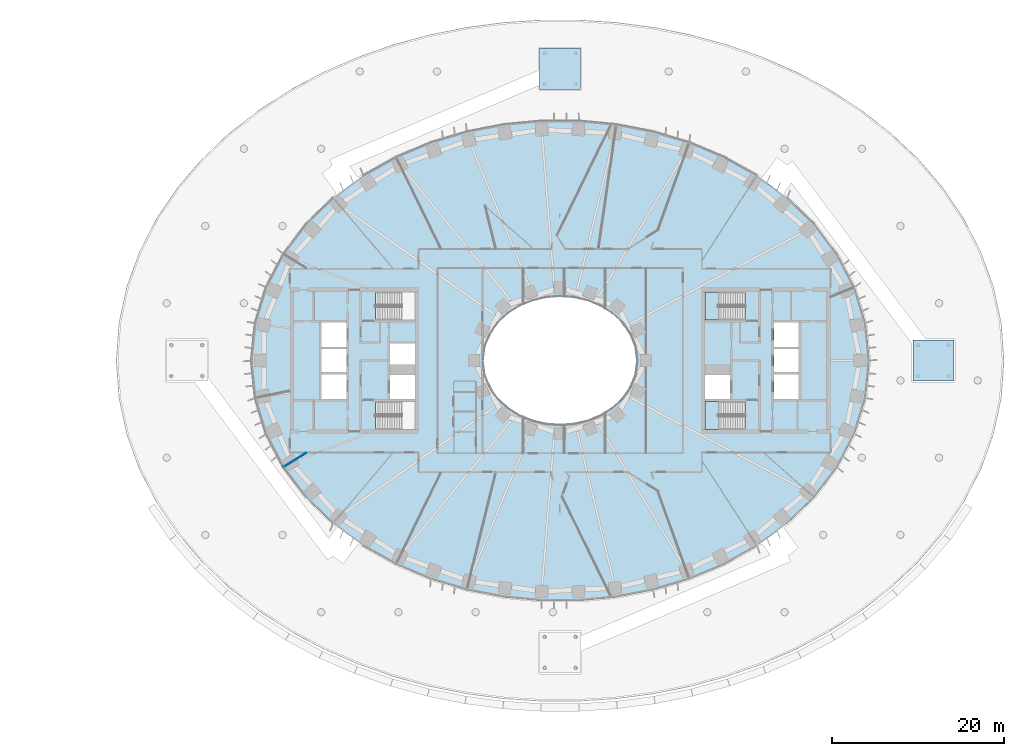
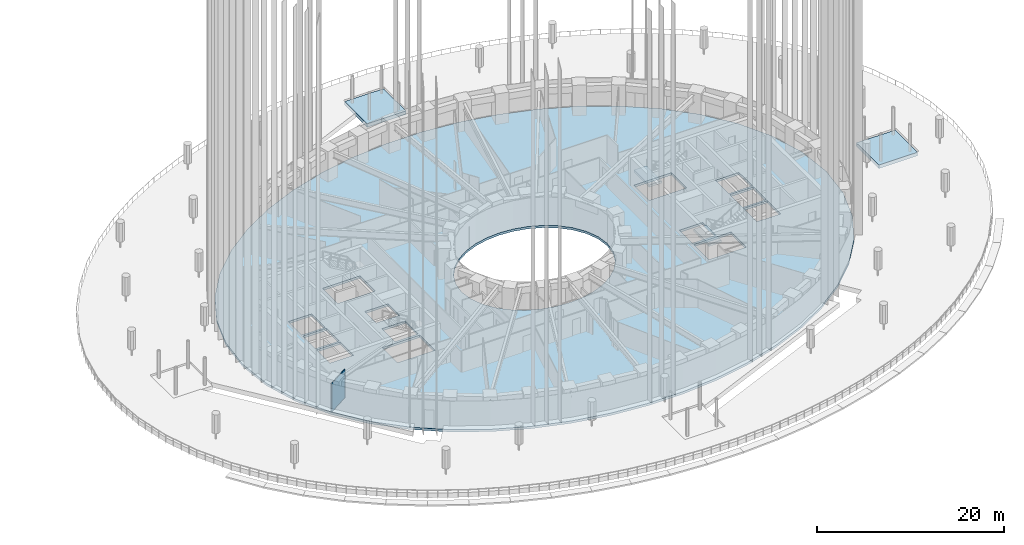
# One storey, part 10 of 30: 5 slabs, 1 wall, 2 elements without a shape of their own.
"""IFC4 building model written with IfcOpenShell, lengths in metres."""

from ifc_helpers import new_model, si_unit, direction, frame, frame_2d, origin, place, context, subcontext, project, spatial, polyline, rectangle, outline, extrude, material, layer, layer_set, type_object, element, aggregate, save


model = new_model("IFC4")

# Units and contexts
model_context = context("Model", 3, precision=1e-05, world=origin(), true_north=direction((0.0, 1.0)))
body_context = subcontext(model_context, "Body", "Model", "MODEL_VIEW")
ifc_project = project(units=[si_unit("LENGTHUNIT", "METRE"), si_unit("AREAUNIT", "SQUARE_METRE"), si_unit("VOLUMEUNIT", "CUBIC_METRE"), si_unit("PLANEANGLEUNIT", "RADIAN"), si_unit("MASSUNIT", "GRAM", prefix="KILO")], contexts=[model_context])

# Site, building, storey
site_placement = place(None, origin())
site = spatial("IfcSite", under=ifc_project, at=site_placement, CompositionType="ELEMENT")
building_placement = place(site_placement, origin())
building = spatial("IfcBuilding", under=site, at=building_placement, Name="Noorbagh Ring Tower", CompositionType="ELEMENT")
storey_placement = place(building_placement, frame((0.0, 0.0, 30.5)))
storey = spatial("IfcBuildingStorey", under=building, at=storey_placement, Name="L05", CompositionType="ELEMENT", Elevation=30.5)

# Stair, slab
ifc_material_1 = material(Name="Concrete C40/50", Category="concrete")
stair_type = type_object("IfcStairType", Name="CORE-STAIR", PredefinedType="HALF_TURN_STAIR", material=ifc_material_1)
stair_1_placement = place(storey_placement, origin())
stair_1 = element("IfcStair", 1, at=stair_1_placement, inside=storey, type_object=stair_type, Name="L05 Exit stair ST3", PredefinedType="HALF_TURN_STAIR")
ifc_material_2 = material(Name="Concrete C40/50", Category="concrete")
ifc_layer_1 = layer(ifc_material_2, 0.300048828125)
ifc_layer_set_1 = layer_set([ifc_layer_1], Name="Concrete C40/50")
slab_type_1 = type_object("IfcSlabType", Name="CORE-STAIR-LANDING", PredefinedType="LANDING", material=ifc_layer_set_1)
slab_1_placement = place(storey_placement, frame((0.0, 0.0, 1.699951171875)))
slab_1 = element("IfcSlab", 2, at=slab_1_placement, type_object=slab_type_1, Name="ST3 landing 1", PredefinedType="LANDING", context=body_context, shape_type="SweptSolid", body=[
    extrude(outline(polyline([(18.449951171875, 8.0), (16.89990234375, 8.0), (16.89990234375, 4.75), (18.449951171875, 4.75), (18.449951171875, 8.0)])), origin(), (0.0, 0.0, 1.0), 0.300048828125),
])
aggregate(stair_1, [slab_1])

stair_2_placement = place(storey_placement, origin())
stair_2 = element("IfcStair", 3, at=stair_2_placement, inside=storey, type_object=stair_type, Name="L05 Exit stair ST4", PredefinedType="HALF_TURN_STAIR")
slab_2_placement = place(storey_placement, frame((0.0, 0.0, 1.699951171875)))
slab_2 = element("IfcSlab", 4, at=slab_2_placement, type_object=slab_type_1, Name="ST4 landing 1", PredefinedType="LANDING", context=body_context, shape_type="SweptSolid", body=[
    extrude(outline(polyline([(18.449951171875, -4.75), (16.89990234375, -4.75), (16.89990234375, -8.0), (18.449951171875, -8.0), (18.449951171875, -4.75)])), origin(), (0.0, 0.0, 1.0), 0.300048828125),
])
aggregate(stair_2, [slab_2])

# Slabs
ifc_material_3 = material(Name="Concrete C40/50", Category="concrete")
ifc_layer_2 = layer(ifc_material_3, 0.449951171875)
ifc_layer_set_2 = layer_set([ifc_layer_2], Name="Concrete C40/50")
slab_type_2 = type_object("IfcSlabType", Name="GND-CHHATRI-PLINTH", PredefinedType="FLOOR", material=ifc_layer_set_2)
slab_3_placement = place(storey_placement, origin())
element("IfcSlab", 5, at=slab_3_placement, inside=storey, type_object=slab_type_2, Name="Chhatri 1 plinth", PredefinedType="FLOOR", context=body_context, shape_type="SweptSolid", body=[
    extrude(outline(polyline([(41.10009765625, -2.39990234375), (45.89990234375, -2.39990234375), (45.89990234375, 2.39990234375), (41.10009765625, 2.39990234375), (41.10009765625, -2.39990234375)])), origin(), (0.0, 0.0, 1.0), 0.449951171875),
])
slab_4_placement = place(storey_placement, origin())
element("IfcSlab", 6, at=slab_4_placement, inside=storey, type_object=slab_type_2, Name="Chhatri 3 plinth", PredefinedType="FLOOR", context=body_context, shape_type="SweptSolid", body=[
    extrude(outline(polyline([(-2.39990234375, 31.60009765625), (2.39990234375, 31.60009765625), (2.39990234375, 36.39990234375), (-2.39990234375, 36.39990234375), (-2.39990234375, 31.60009765625)])), origin(), (0.0, 0.0, 1.0), 0.449951171875),
])
ifc_material_4 = material(Name="Concrete C40/50", Category="concrete")
ifc_layer_3 = layer(ifc_material_4, 0.300048828125)
ifc_layer_set_3 = layer_set([ifc_layer_3], Name="Concrete C40/50")
slab_type_3 = type_object("IfcSlabType", Name="STR-FLOOR-DECK-300", PredefinedType="FLOOR", material=ifc_layer_set_3)
slab_5_placement = place(storey_placement, frame((0.0, 0.0, -0.300048828125)))
element("IfcSlab", 7, at=slab_5_placement, inside=storey, type_object=slab_type_3, Name="L05/slab/1", PredefinedType="FLOOR", context=body_context, shape_type="SweptSolid", body=[
    extrude(outline(polyline([(36.0, 0.0), (35.56103515625, 4.358642578125), (34.281005859375, 8.548828125), (32.255126953125, 12.434814453125), (29.607666015625, 15.92822265625), (26.463134765625, 18.983154296875), (22.9326171875, 21.583740234375), (19.108154296875, 23.730224609375), (15.0654296875, 25.430419921875), (10.865234375, 26.6943359375), (6.5595703125, 27.53125), (2.193115234375, 27.947998046875), (-2.193115234375, 27.947998046875), (-6.5595703125, 27.53125), (-10.865234375, 26.6943359375), (-15.0654296875, 25.430419921875), (-19.108154296875, 23.730224609375), (-22.9326171875, 21.583740234375), (-26.463134765625, 18.983154296875), (-29.607666015625, 15.92822265625), (-32.255126953125, 12.434814453125), (-34.281005859375, 8.548828125), (-35.56103515625, 4.358642578125), (-36.0, 0.0), (-35.56103515625, -4.358642578125), (-34.281005859375, -8.548828125), (-32.255126953125, -12.434814453125), (-29.607666015625, -15.92822265625), (-26.463134765625, -18.983154296875), (-22.9326171875, -21.583740234375), (-19.108154296875, -23.730224609375), (-15.0654296875, -25.430419921875), (-10.865234375, -26.6943359375), (-6.5595703125, -27.53125), (-2.193115234375, -27.947998046875), (2.193115234375, -27.947998046875), (6.5595703125, -27.53125), (10.865234375, -26.6943359375), (15.0654296875, -25.430419921875), (19.108154296875, -23.730224609375), (22.9326171875, -21.583740234375), (26.463134765625, -18.983154296875), (29.607666015625, -15.92822265625), (32.255126953125, -12.434814453125), (34.281005859375, -8.548828125), (35.56103515625, -4.358642578125), (36.0, 0.0)]), holes=[polyline([(24.89990234375, -1.60009765625), (27.800048828125, -1.60009765625), (27.800048828125, -4.449951171875), (24.89990234375, -4.449951171875), (24.89990234375, -1.60009765625)]), polyline([(24.89990234375, 1.35009765625), (27.800048828125, 1.35009765625), (27.800048828125, -1.35009765625), (24.89990234375, -1.35009765625), (24.89990234375, 1.35009765625)]), polyline([(24.89990234375, 4.449951171875), (27.800048828125, 4.449951171875), (27.800048828125, 1.60009765625), (24.89990234375, 1.60009765625), (24.89990234375, 4.449951171875)]), polyline([(21.529541015625, -4.75), (21.529541015625, -8.0), (16.89990234375, -8.0), (16.89990234375, -4.75), (21.529541015625, -4.75)]), polyline([(21.529541015625, 4.75), (16.89990234375, 4.75), (16.89990234375, 8.0), (21.529541015625, 8.0), (21.529541015625, 4.75)]), polyline([(16.89990234375, -1.699951171875), (19.800048828125, -1.699951171875), (19.800048828125, -4.449951171875), (16.89990234375, -4.449951171875), (16.89990234375, -1.699951171875)]), polyline([(4.697509765625, -6.3974609375), (3.196533203125, -7.010986328125), (1.6171875, -7.3779296875), (0.0, -7.5), (-1.6171875, -7.3779296875), (-3.196533203125, -7.010986328125), (-4.697509765625, -6.3974609375), (-6.071044921875, -5.53662109375), (-7.2587890625, -4.43408203125), (-8.1904296875, -3.10888671875), (-8.79150390625, -1.605224609375), (-9.0, 0.0), (-8.79150390625, 1.605224609375), (-8.1904296875, 3.10888671875), (-7.2587890625, 4.43408203125), (-6.071044921875, 5.53662109375), (-4.697509765625, 6.3974609375), (-3.196533203125, 7.010986328125), (-1.6171875, 7.3779296875), (0.0, 7.5), (1.6171875, 7.3779296875), (3.196533203125, 7.010986328125), (4.697509765625, 6.3974609375), (6.071044921875, 5.53662109375), (7.2587890625, 4.43408203125), (8.1904296875, 3.10888671875), (8.79150390625, 1.605224609375), (9.0, 0.0), (8.79150390625, -1.605224609375), (8.1904296875, -3.10888671875), (7.2587890625, -4.43408203125), (6.071044921875, -5.53662109375), (4.697509765625, -6.3974609375)]), polyline([(-21.529541015625, -8.0), (-21.529541015625, -4.75), (-16.89990234375, -4.75), (-16.89990234375, -8.0), (-21.529541015625, -8.0)]), polyline([(-21.529541015625, 8.0), (-16.89990234375, 8.0), (-16.89990234375, 4.75), (-21.529541015625, 4.75), (-21.529541015625, 8.0)]), polyline([(-16.89990234375, -4.449951171875), (-19.800048828125, -4.449951171875), (-19.800048828125, -1.699951171875), (-16.89990234375, -1.699951171875), (-16.89990234375, -4.449951171875)]), polyline([(-16.89990234375, -0.449951171875), (-19.800048828125, -0.449951171875), (-19.800048828125, 2.0), (-16.89990234375, 2.0), (-16.89990234375, -0.449951171875)]), polyline([(-24.89990234375, -4.449951171875), (-27.800048828125, -4.449951171875), (-27.800048828125, -1.60009765625), (-24.89990234375, -1.60009765625), (-24.89990234375, -4.449951171875)]), polyline([(-24.89990234375, -1.35009765625), (-27.800048828125, -1.35009765625), (-27.800048828125, 1.35009765625), (-24.89990234375, 1.35009765625), (-24.89990234375, -1.35009765625)]), polyline([(-24.89990234375, 1.60009765625), (-27.800048828125, 1.60009765625), (-27.800048828125, 4.449951171875), (-24.89990234375, 4.449951171875), (-24.89990234375, 1.60009765625)])]), origin(), (0.0, 0.0, 1.0), 0.300048828125),
])

# Wall
ifc_material_5 = material(Name="Gypsum board on steel studs", Category="steel")
ifc_layer_4 = layer(ifc_material_5, 0.10009765625)
ifc_layer_set_4 = layer_set([ifc_layer_4], Name="Gypsum board on steel studs")
wall_type = type_object("IfcWallType", Name="PARTITION 100 GYPSUM", PredefinedType="PARTITIONING", material=ifc_layer_set_4)
wall_placement = place(storey_placement, frame((-32.2119140625, -12.407958984375, 0.0), z_axis=(0.0, 0.0, 1.0), x_axis=(0.844810627195, 0.535065420467, 0.0)))
element("IfcWall", 8, at=wall_placement, inside=storey, type_object=wall_type, Name="L05/wall/P02", PredefinedType="PARTITIONING", context=body_context, shape_type="SweptSolid", body=[
    extrude(rectangle(XDim=3.0478515625, YDim=0.10009765625, at=frame_2d((1.52392578125, 0.0))), origin(), (0.0, 0.0, 1.0), 3.699951171875),
])

save(model, "model.ifc")
